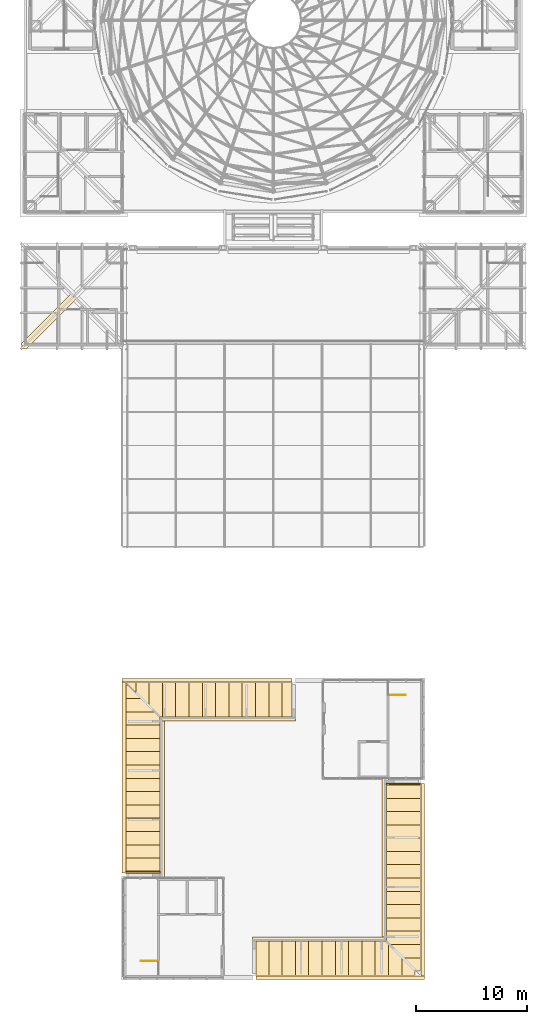
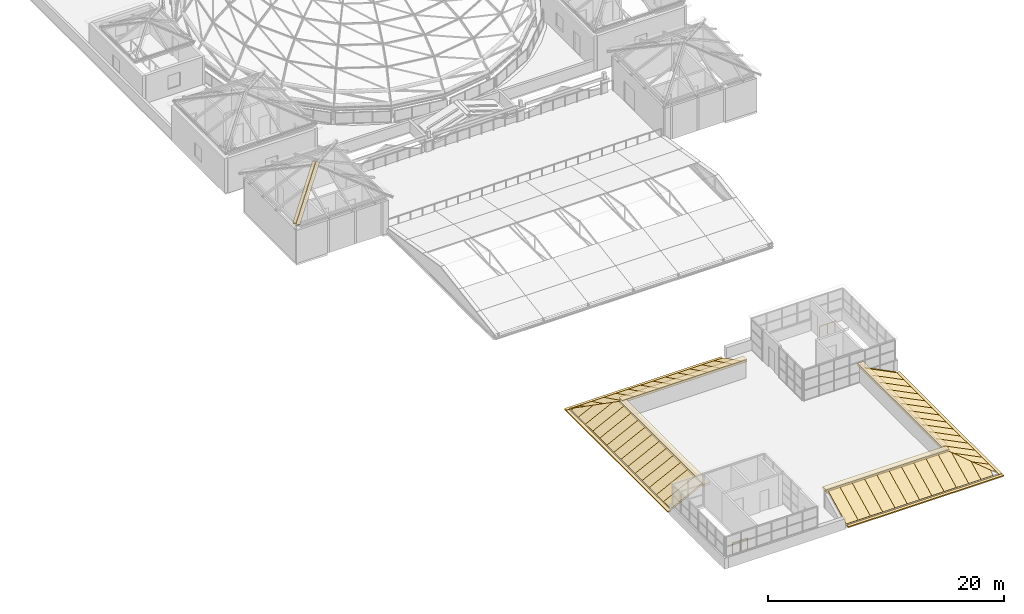
# One storey, part 65 of 69: 65 coverings, 2 railings.
"""IFC4 building model written with IfcOpenShell, lengths in metres."""

from ifc_helpers import new_model, si_unit, direction, frame, origin, origin_2d, place, context, subcontext, project, spatial, polyline, rectangle, circle, outline, extrude, material, layer, layer_set, type_object, element, save


model = new_model("IFC4")

# Units and contexts
model_context = context("Model", 3, precision=1e-05, world=origin(), true_north=direction((0.0, 1.0)))
body_context = subcontext(model_context, "Body", "Model", "MODEL_VIEW")
ifc_project = project(units=[si_unit("LENGTHUNIT", "METRE"), si_unit("AREAUNIT", "SQUARE_METRE"), si_unit("VOLUMEUNIT", "CUBIC_METRE"), si_unit("PLANEANGLEUNIT", "RADIAN"), si_unit("MASSUNIT", "GRAM", prefix="KILO")], contexts=[model_context])

# Site, building, storey
site_placement = place(None, origin())
site = spatial("IfcSite", under=ifc_project, at=site_placement, CompositionType="ELEMENT")
building_placement = place(site_placement, origin())
building = spatial("IfcBuilding", under=site, at=building_placement, Name="Kallimachos Central Library", CompositionType="ELEMENT")
storey_placement = place(building_placement, frame((0.0, 0.0, 23.39990234375)))
storey = spatial("IfcBuildingStorey", under=building, at=storey_placement, Name="L05", CompositionType="ELEMENT", Elevation=23.39990234375)

# Coverings
ifc_material_1 = material(Name="Glazed ceramic hip tile")
ifc_layer_1 = layer(ifc_material_1, 0.1201171875)
ifc_layer_set_1 = layer_set([ifc_layer_1], Name="Ceramic hip tile 300")
covering_type_1 = type_object("IfcCoveringType", Name="Ceramic hip tile 300", PredefinedType="MOLDING", material=ifc_layer_set_1)
covering_1_placement = place(storey_placement, frame((70.01416015625, 79.48583984375, 6.26318359375), z_axis=(-0.000236468736, -0.406535481479, 0.913634963419), x_axis=(0.674613510996, -0.674483805089, -0.299947007744)))
element("IfcCovering", 1, at=covering_1_placement, inside=storey, type_object=covering_type_1, Name="Head-house roof V4-NW hip tile", PredefinedType="MOLDING", context=body_context, shape_type="SweptSolid", body=[
    extrude(outline(polyline([(0.0, 0.0), (0.31448855289718697, -6.938893903907228e-18), (0.9178784160856339, -6.6799971450560145), (0.6317935360562941, -6.993035030678304), (0.0, 0.0)])), origin(), (0.0, 0.0, -1.0), 0.1201171875),
])
covering_2_placement = place(storey_placement, frame((69.773681640625, 79.726318359375, 6.1689453125), z_axis=(-0.406519720699, -0.000257103097, 0.913641970676), x_axis=(0.674494639355, -0.67461350523, 0.29992265677)))
element("IfcCovering", 2, at=covering_2_placement, inside=storey, type_object=covering_type_1, Name="Head-house roof V4-NW hip tile", PredefinedType="MOLDING", context=body_context, shape_type="SweptSolid", body=[
    extrude(outline(polyline([(0.0, 0.0), (0.31448855545818816, 1.3877787807814457e-17), (-0.2908948978497018, -6.700671049751256), (-0.5844492885605453, -6.700722164353748), (-0.6033898532825684, -6.679997146065239), (0.0, 0.0)])), origin(), (0.0, 0.0, -1.0), 0.1201171875),
])
ifc_material_2 = material(Name="Glazed ceramic ridge tile")
ifc_layer_2 = layer(ifc_material_2, 0.300048828125)
ifc_layer_set_2 = layer_set([ifc_layer_2], Name="Ceramic ridge tile 600")
covering_type_2 = type_object("IfcCoveringType", Name="Ceramic ridge tile 600", PredefinedType="MOLDING", material=ifc_layer_set_2)
covering_3_placement = place(storey_placement, frame((92.175048828125, 21.39990234375, 1.800048828125), z_axis=(0.0, 0.0, 1.0), x_axis=(1.0, 0.0, 0.0)))
element("IfcCovering", 3, at=covering_3_placement, inside=storey, type_object=covering_type_2, Name="Ridge tile", PredefinedType="MOLDING", context=body_context, shape_type="SweptSolid", body=[
    extrude(rectangle(XDim=12.050048828125, YDim=0.60009765625, at=origin_2d()), origin(), (0.0, 0.0, 1.0), 0.25),
])
covering_4_placement = place(storey_placement, frame((98.10009765625, 28.742919921875, 1.800048828125), z_axis=(0.0, 0.0, 1.0), x_axis=(1.0, 0.0, 0.0)))
element("IfcCovering", 4, at=covering_4_placement, inside=storey, type_object=covering_type_2, Name="Ridge tile", PredefinedType="MOLDING", context=body_context, shape_type="SweptSolid", body=[
    extrude(rectangle(XDim=0.60009765625, YDim=14.486083984375, at=origin_2d()), origin(), (0.0, 0.0, 1.0), 0.25),
])
covering_5_placement = place(storey_placement, frame((83.89990234375, 41.449951171875, 1.800048828125), z_axis=(0.0, 0.0, 1.0), x_axis=(1.0, 0.0, 0.0)))
element("IfcCovering", 5, at=covering_5_placement, inside=storey, type_object=covering_type_2, Name="Ridge tile", PredefinedType="MOLDING", context=body_context, shape_type="SweptSolid", body=[
    extrude(rectangle(XDim=12.199951171875, YDim=0.60009765625, at=origin_2d()), origin(), (0.0, 0.0, 1.0), 0.25),
])
covering_6_placement = place(storey_placement, frame((77.89990234375, 34.181884765625, 1.800048828125), z_axis=(0.0, 0.0, 1.0), x_axis=(1.0, 0.0, 0.0)))
element("IfcCovering", 6, at=covering_6_placement, inside=storey, type_object=covering_type_2, Name="Ridge tile", PredefinedType="MOLDING", context=body_context, shape_type="SweptSolid", body=[
    extrude(rectangle(XDim=0.60009765625, YDim=14.3359375, at=origin_2d()), origin(), (0.0, 0.0, 1.0), 0.25),
])
ifc_material_3 = material(Name="Glazed ceramic roof tile, green")
ifc_layer_3 = layer(ifc_material_3, 0.050048828125)
ifc_layer_set_3 = layer_set([ifc_layer_3], Name="Glazed ceramic roof tile, green")
covering_type_3 = type_object("IfcCoveringType", Name="Glazed ceramic roof tile, green", PredefinedType="ROOFING", material=ifc_layer_set_3)
for number, where, z_axis, x_axis, name in (
    (7, (87.60009765625, 18.199951171875, 0.2001953125), (0.0, -0.447157242093, 0.894455365484), (0.0, 0.894455365484, 0.447157242093), "Roof tile band South"),
    (8, (90.0, 18.199951171875, 0.2001953125), (0.0, -0.447157242093, 0.894455365484), (0.0, 0.894455365484, 0.447157242093), "Roof tile band South"),
):
    element("IfcCovering", number, at=place(storey_placement, frame(where, z_axis=z_axis, x_axis=x_axis)), inside=storey, type_object=covering_type_3, Name=name, PredefinedType="ROOFING", context=body_context, shape_type="SweptSolid", body=[
        extrude(outline(polyline([(0.0, 0.0), (3.465905372003644, 0.0), (3.465905372003644, -1.199951171875), (0.0, -1.199951171875), (0.0, 0.0)])), origin(), (0.0, 0.0, -1.0), 0.050048828125),
    ])
covering_7_placement = place(storey_placement, frame((92.39990234375, 18.199951171875, 0.2001953125), z_axis=(0.0, -0.447157242093, 0.894455365484), x_axis=(0.0, 0.894455365484, 0.447157242093)))
element("IfcCovering", 9, at=covering_7_placement, inside=storey, type_object=covering_type_3, Name="Roof tile band South", PredefinedType="ROOFING", context=body_context, shape_type="SweptSolid", body=[
    extrude(outline(polyline([(0.0, 0.0), (3.465905372003644, 0.0), (3.465905372003644, -1.2001953125), (0.0, -1.2001953125), (0.0, 0.0)])), origin(), (0.0, 0.0, -1.0), 0.050048828125),
])
covering_8_placement = place(storey_placement, frame((94.800048828125, 18.199951171875, 0.2001953125), z_axis=(0.0, -0.447157242093, 0.894455365484), x_axis=(0.0, 0.894455365484, 0.447157242093)))
element("IfcCovering", 10, at=covering_8_placement, inside=storey, type_object=covering_type_3, Name="Roof tile band South", PredefinedType="ROOFING", context=body_context, shape_type="SweptSolid", body=[
    extrude(outline(polyline([(0.0, 0.0), (3.465905372003644, 0.0), (3.465905372003644, -1.199951171875), (0.0, -1.199951171875), (0.0, 0.0)])), origin(), (0.0, 0.0, -1.0), 0.050048828125),
])
covering_9_placement = place(storey_placement, frame((97.199951171875, 18.199951171875, 0.2001953125), z_axis=(-3.9841397e-05, -0.44715929763, 0.894454336988), x_axis=(-9.2e-11, 0.894454337698, 0.447159297985)))
element("IfcCovering", 11, at=covering_9_placement, inside=storey, type_object=covering_type_3, Name="Roof tile band South", PredefinedType="ROOFING", context=body_context, shape_type="SweptSolid", body=[
    extrude(outline(polyline([(0.0, 0.0), (3.465905371994489, 6.776263578034403e-21), (3.465905371902914, -0.9999999992063315), (3.2424077509251363, -1.1999511747116234), (-1.0988538627327664e-10, -1.1999511709226367), (0.0, 0.0)])), origin(), (0.0, 0.0, -1.0), 0.050048828125),
])
covering_10_placement = place(storey_placement, frame((99.60009765625, 18.199951171875, 0.2001953125), z_axis=(-2.0680359e-05, -0.44717389029, 0.894447042264), x_axis=(-2.7e-10, 0.894447042456, 0.447173890385)))
element("IfcCovering", 12, at=covering_10_placement, inside=storey, type_object=covering_type_3, Name="Roof tile band South", PredefinedType="ROOFING", context=body_context, shape_type="SweptSolid", body=[
    extrude(outline(polyline([(0.0, 0.0), (1.9005486008422814, 3.3881317890172014e-21), (0.5590169935001402, -1.1999511722825433), (-3.240144081515876e-10, -1.1999511716184041), (0.0, 0.0)])), origin(), (0.0, 0.0, -1.0), 0.050048828125),
])
covering_11_placement = place(storey_placement, frame((101.300048828125, 18.60009765625, 0.2001953125), z_axis=(0.447082577197, -3.6385154e-05, 0.894492687417), x_axis=(-0.89449268801, -3.551e-09, 0.447082577493)))
element("IfcCovering", 13, at=covering_11_placement, inside=storey, type_object=covering_type_3, Name="Roof tile band East", PredefinedType="ROOFING", context=body_context, shape_type="SweptSolid", body=[
    extrude(outline(polyline([(0.0, 0.0), (0.44732278970071127, 0.0), (1.7888543905336056, -1.199951179022107), (-4.261422097082114e-09, -1.1999511710807047), (0.0, 0.0)])), origin(), (0.0, 0.0, -1.0), 0.050048828125),
])
covering_12_placement = place(storey_placement, frame((101.300048828125, 21.0, 0.2001953125), z_axis=(0.447160117593, 3.7138681e-05, 0.894453927184), x_axis=(-0.894453927801, -9.25e-10, 0.447160117902)))
element("IfcCovering", 14, at=covering_12_placement, inside=storey, type_object=covering_type_3, Name="Roof tile band East", PredefinedType="ROOFING", context=body_context, shape_type="SweptSolid", body=[
    extrude(outline(polyline([(0.0, 0.0), (3.130495169432329, -1.3552527156068805e-20), (3.4659053717081285, -0.30004883153853196), (3.465905370875552, -1.1999511746679226), (-1.1101776510524799e-09, -1.1999511710474646), (0.0, 0.0)])), origin(), (0.0, 0.0, -1.0), 0.050048828125),
])
covering_13_placement = place(storey_placement, frame((101.300048828125, 23.39990234375, 0.2001953125), z_axis=(0.447157242093, 0.0, 0.894455365484), x_axis=(-0.894455365484, 0.0, 0.447157242093)))
element("IfcCovering", 15, at=covering_13_placement, inside=storey, type_object=covering_type_3, Name="Roof tile band East", PredefinedType="ROOFING", context=body_context, shape_type="SweptSolid", body=[
    extrude(outline(polyline([(0.0, 0.0), (3.465905372003644, 0.0), (3.465905372003644, -1.2001953125), (0.0, -1.2001953125), (0.0, 0.0)])), origin(), (0.0, 0.0, -1.0), 0.050048828125),
])
for number, where, z_axis, x_axis, name in (
    (16, (101.300048828125, 25.800048828125, 0.2001953125), (0.447157242093, 0.0, 0.894455365484), (-0.894455365484, 0.0, 0.447157242093), "Roof tile band East"),
    (17, (101.300048828125, 28.199951171875, 0.2001953125), (0.447157242093, 0.0, 0.894455365484), (-0.894455365484, 0.0, 0.447157242093), "Roof tile band East"),
    (18, (101.300048828125, 30.60009765625, 0.2001953125), (0.447157242093, 0.0, 0.894455365484), (-0.894455365484, 0.0, 0.447157242093), "Roof tile band East"),
    (19, (101.300048828125, 33.0, 0.2001953125), (0.447157242093, 0.0, 0.894455365484), (-0.894455365484, 0.0, 0.447157242093), "Roof tile band East"),
):
    element("IfcCovering", number, at=place(storey_placement, frame(where, z_axis=z_axis, x_axis=x_axis)), inside=storey, type_object=covering_type_3, Name=name, PredefinedType="ROOFING", context=body_context, shape_type="SweptSolid", body=[
        extrude(outline(polyline([(0.0, 0.0), (3.465905372003644, 0.0), (3.465905372003644, -1.199951171875), (0.0, -1.199951171875), (0.0, 0.0)])), origin(), (0.0, 0.0, -1.0), 0.050048828125),
    ])
covering_14_placement = place(storey_placement, frame((98.199951171875, 35.550048828125, 1.75), z_axis=(0.447157242093, 0.0, 0.894455365484), x_axis=(0.894455365484, 0.0, -0.447157242093)))
element("IfcCovering", 20, at=covering_14_placement, inside=storey, type_object=covering_type_3, Name="Roof tile band East", PredefinedType="ROOFING", context=body_context, shape_type="SweptSolid", body=[
    extrude(outline(polyline([(0.0, 0.0), (3.465905372003644, 0.0), (3.465905372003644, -0.15014648437500003), (0.0, -0.15014648437500003), (0.0, 0.0)])), origin(), (0.0, 0.0, -1.0), 0.050048828125),
])
covering_15_placement = place(storey_placement, frame((75.60009765625, 44.64990234375, 0.2001953125), z_axis=(2.7296566e-05, 0.447184476784, 0.894441749349), x_axis=(-8.89e-10, -0.894441749682, 0.447184476951)))
element("IfcCovering", 21, at=covering_15_placement, inside=storey, type_object=covering_type_3, Name="Roof tile band North", PredefinedType="ROOFING", context=body_context, shape_type="SweptSolid", body=[
    extrude(outline(polyline([(0.0, 0.0), (1.006121406335025, 1.6940658945086007e-21), (2.3476530116054257, 1.1999511744082778), (-1.0663328620717726e-09, 1.1999511714279567), (0.0, 0.0)])), origin(), (0.0, 0.0, -1.0), 0.050048828125),
])
covering_16_placement = place(storey_placement, frame((78.0, 44.64990234375, 0.2001953125), z_axis=(0.0, 0.447185417243, 0.894441279574), x_axis=(0.0, -0.894441279574, 0.447185417243)))
element("IfcCovering", 22, at=covering_16_placement, inside=storey, type_object=covering_type_3, Name="Roof tile band North", PredefinedType="ROOFING", context=body_context, shape_type="SweptSolid", body=[
    extrude(outline(polyline([(0.0, 0.0), (3.465687000831097, 0.0), (3.465687000831097, 1.199951171875), (0.0, 1.199951171875), (0.0, 0.0)])), origin(), (0.0, 0.0, -1.0), 0.050048828125),
])
covering_17_placement = place(storey_placement, frame((80.39990234375, 44.64990234375, 0.2001953125), z_axis=(0.0, 0.447185417243, 0.894441279574), x_axis=(0.0, -0.894441279574, 0.447185417243)))
element("IfcCovering", 23, at=covering_17_placement, inside=storey, type_object=covering_type_3, Name="Roof tile band North", PredefinedType="ROOFING", context=body_context, shape_type="SweptSolid", body=[
    extrude(outline(polyline([(0.0, 0.0), (3.4656870008310974, 0.0), (3.4656870008310974, 1.2001953125), (0.0, 1.2001953125), (0.0, 0.0)])), origin(), (0.0, 0.0, -1.0), 0.050048828125),
])
for number, where, z_axis, x_axis, name in (
    (24, (82.800048828125, 44.64990234375, 0.2001953125), (0.0, 0.447185417243, 0.894441279574), (0.0, -0.894441279574, 0.447185417243), "Roof tile band North"),
    (25, (85.199951171875, 44.64990234375, 0.2001953125), (0.0, 0.447185417243, 0.894441279574), (0.0, -0.894441279574, 0.447185417243), "Roof tile band North"),
    (26, (87.60009765625, 44.64990234375, 0.2001953125), (0.0, 0.447185417243, 0.894441279574), (0.0, -0.894441279574, 0.447185417243), "Roof tile band North"),
):
    element("IfcCovering", number, at=place(storey_placement, frame(where, z_axis=z_axis, x_axis=x_axis)), inside=storey, type_object=covering_type_3, Name=name, PredefinedType="ROOFING", context=body_context, shape_type="SweptSolid", body=[
        extrude(outline(polyline([(0.0, 0.0), (3.465687000831097, 0.0), (3.465687000831097, 1.199951171875), (0.0, 1.199951171875), (0.0, 0.0)])), origin(), (0.0, 0.0, -1.0), 0.050048828125),
    ])
for number, where, z_axis, x_axis, name in (
    (27, (74.699951171875, 27.60009765625, 0.2001953125), (-0.447157242093, 0.0, 0.894455365484), (0.894455365484, 0.0, 0.447157242093), "Roof tile band West"),
    (28, (74.699951171875, 30.0, 0.2001953125), (-0.447157242093, 0.0, 0.894455365484), (0.894455365484, 0.0, 0.447157242093), "Roof tile band West"),
):
    element("IfcCovering", number, at=place(storey_placement, frame(where, z_axis=z_axis, x_axis=x_axis)), inside=storey, type_object=covering_type_3, Name=name, PredefinedType="ROOFING", context=body_context, shape_type="SweptSolid", body=[
        extrude(outline(polyline([(0.0, 0.0), (3.465905372003644, 0.0), (3.465905372003644, 1.199951171875), (0.0, 1.199951171875), (0.0, 0.0)])), origin(), (0.0, 0.0, -1.0), 0.050048828125),
    ])
covering_18_placement = place(storey_placement, frame((74.699951171875, 32.39990234375, 0.2001953125), z_axis=(-0.447157242093, 0.0, 0.894455365484), x_axis=(0.894455365484, 0.0, 0.447157242093)))
element("IfcCovering", 29, at=covering_18_placement, inside=storey, type_object=covering_type_3, Name="Roof tile band West", PredefinedType="ROOFING", context=body_context, shape_type="SweptSolid", body=[
    extrude(outline(polyline([(0.0, 0.0), (3.465905372003644, 0.0), (3.465905372003644, 1.2001953125), (0.0, 1.2001953125), (0.0, 0.0)])), origin(), (0.0, 0.0, -1.0), 0.050048828125),
])
for number, where, z_axis, x_axis, name in (
    (30, (74.699951171875, 34.800048828125, 0.2001953125), (-0.447157242093, 0.0, 0.894455365484), (0.894455365484, 0.0, 0.447157242093), "Roof tile band West"),
    (31, (74.699951171875, 37.199951171875, 0.2001953125), (-0.447157242093, 0.0, 0.894455365484), (0.894455365484, 0.0, 0.447157242093), "Roof tile band West"),
    (32, (74.699951171875, 39.60009765625, 0.2001953125), (-0.447157242093, 0.0, 0.894455365484), (0.894455365484, 0.0, 0.447157242093), "Roof tile band West"),
):
    element("IfcCovering", number, at=place(storey_placement, frame(where, z_axis=z_axis, x_axis=x_axis)), inside=storey, type_object=covering_type_3, Name=name, PredefinedType="ROOFING", context=body_context, shape_type="SweptSolid", body=[
        extrude(outline(polyline([(0.0, 0.0), (3.465905372003644, 0.0), (3.465905372003644, 1.199951171875), (0.0, 1.199951171875), (0.0, 0.0)])), origin(), (0.0, 0.0, -1.0), 0.050048828125),
    ])
covering_19_placement = place(storey_placement, frame((74.699951171875, 42.0, 0.2001953125), z_axis=(-0.447170986831, 2.663542e-05, 0.894448493669), x_axis=(0.894448493986, -2.87e-10, 0.44717098699)))
element("IfcCovering", 33, at=covering_19_placement, inside=storey, type_object=covering_type_3, Name="Roof tile band West", PredefinedType="ROOFING", context=body_context, shape_type="SweptSolid", body=[
    extrude(outline(polyline([(0.0, 0.0), (2.96289925503325, 0.0), (1.6210401036977207, 1.1999511727664072), (-3.447699077857038e-10, 1.19995117144935), (0.0, 0.0)])), origin(), (0.0, 0.0, -1.0), 0.050048828125),
])
ifc_material_4 = material(Name="Glazed ceramic roof tile, ochre")
ifc_layer_4 = layer(ifc_material_4, 0.050048828125)
ifc_layer_set_4 = layer_set([ifc_layer_4], Name="Glazed ceramic roof tile, ochre")
covering_type_4 = type_object("IfcCoveringType", Name="Glazed ceramic roof tile, ochre", PredefinedType="ROOFING", material=ifc_layer_set_4)
covering_20_placement = place(storey_placement, frame((86.449951171875, 18.199951171875, 0.2001953125), z_axis=(0.0, -0.447157242093, 0.894455365484), x_axis=(0.0, 0.894455365484, 0.447157242093)))
element("IfcCovering", 34, at=covering_20_placement, inside=storey, type_object=covering_type_4, Name="Roof tile band South", PredefinedType="ROOFING", context=body_context, shape_type="SweptSolid", body=[
    extrude(outline(polyline([(0.0, 0.0), (3.465905372003644, 0.0), (3.465905372003644, -1.150146484375), (0.0, -1.150146484375), (0.0, 0.0)])), origin(), (0.0, 0.0, -1.0), 0.050048828125),
])
for number, where, z_axis, x_axis, name in (
    (35, (88.800048828125, 18.199951171875, 0.2001953125), (0.0, -0.447157242093, 0.894455365484), (0.0, 0.894455365484, 0.447157242093), "Roof tile band South"),
    (36, (91.199951171875, 18.199951171875, 0.2001953125), (0.0, -0.447157242093, 0.894455365484), (0.0, 0.894455365484, 0.447157242093), "Roof tile band South"),
    (37, (93.60009765625, 18.199951171875, 0.2001953125), (0.0, -0.447157242093, 0.894455365484), (0.0, 0.894455365484, 0.447157242093), "Roof tile band South"),
    (38, (96.0, 18.199951171875, 0.2001953125), (0.0, -0.447157242093, 0.894455365484), (0.0, 0.894455365484, 0.447157242093), "Roof tile band South"),
):
    element("IfcCovering", number, at=place(storey_placement, frame(where, z_axis=z_axis, x_axis=x_axis)), inside=storey, type_object=covering_type_4, Name=name, PredefinedType="ROOFING", context=body_context, shape_type="SweptSolid", body=[
        extrude(outline(polyline([(0.0, 0.0), (3.465905372003644, 0.0), (3.465905372003644, -1.199951171875), (0.0, -1.199951171875), (0.0, 0.0)])), origin(), (0.0, 0.0, -1.0), 0.050048828125),
    ])
covering_21_placement = place(storey_placement, frame((98.39990234375, 18.199951171875, 0.2001953125), z_axis=(2.3735436e-05, -0.447175618273, 0.894446178291), x_axis=(-2.09e-10, 0.894446178543, 0.447175618399)))
element("IfcCovering", 39, at=covering_21_placement, inside=storey, type_object=covering_type_4, Name="Roof tile band South", PredefinedType="ROOFING", context=body_context, shape_type="SweptSolid", body=[
    extrude(outline(polyline([(0.0, 0.0), (3.2424077520945507, 0.0), (1.90054860054051, -1.200195313234408), (-2.5028260050407713e-10, -1.2001953121619222), (0.0, 0.0)])), origin(), (0.0, 0.0, -1.0), 0.050048828125),
])
covering_22_placement = place(storey_placement, frame((101.300048828125, 19.800048828125, 0.2001953125), z_axis=(0.447154038612, -8.2717764e-05, 0.894456963141), x_axis=(-0.894456966201, -4.59e-09, 0.447154040141)))
element("IfcCovering", 40, at=covering_22_placement, inside=storey, type_object=covering_type_4, Name="Roof tile band East", PredefinedType="ROOFING", context=body_context, shape_type="SweptSolid", body=[
    extrude(outline(polyline([(0.0, 0.0), (1.7888543925741156, 1.3552527156068805e-20), (3.1304951633227125, -1.1999511903482654), (-5.5074394711485875e-09, -1.1999511677698298), (0.0, 0.0)])), origin(), (0.0, 0.0, -1.0), 0.050048828125),
])
for number, where, z_axis, x_axis, name in (
    (41, (101.300048828125, 22.199951171875, 0.2001953125), (0.447157242093, 0.0, 0.894455365484), (-0.894455365484, 0.0, 0.447157242093), "Roof tile band East"),
    (42, (101.300048828125, 24.60009765625, 0.2001953125), (0.447157242093, 0.0, 0.894455365484), (-0.894455365484, 0.0, 0.447157242093), "Roof tile band East"),
    (43, (101.300048828125, 27.0, 0.2001953125), (0.447157242093, 0.0, 0.894455365484), (-0.894455365484, 0.0, 0.447157242093), "Roof tile band East"),
):
    element("IfcCovering", number, at=place(storey_placement, frame(where, z_axis=z_axis, x_axis=x_axis)), inside=storey, type_object=covering_type_4, Name=name, PredefinedType="ROOFING", context=body_context, shape_type="SweptSolid", body=[
        extrude(outline(polyline([(0.0, 0.0), (3.465905372003644, 0.0), (3.465905372003644, -1.199951171875), (0.0, -1.199951171875), (0.0, 0.0)])), origin(), (0.0, 0.0, -1.0), 0.050048828125),
    ])
covering_23_placement = place(storey_placement, frame((101.300048828125, 29.39990234375, 0.2001953125), z_axis=(0.447157242093, 0.0, 0.894455365484), x_axis=(-0.894455365484, 0.0, 0.447157242093)))
element("IfcCovering", 44, at=covering_23_placement, inside=storey, type_object=covering_type_4, Name="Roof tile band East", PredefinedType="ROOFING", context=body_context, shape_type="SweptSolid", body=[
    extrude(outline(polyline([(0.0, 0.0), (3.465905372003644, 0.0), (3.465905372003644, -1.2001953125), (0.0, -1.2001953125), (0.0, 0.0)])), origin(), (0.0, 0.0, -1.0), 0.050048828125),
])
for number, where, z_axis, x_axis, name in (
    (45, (101.300048828125, 31.800048828125, 0.2001953125), (0.447157242093, 0.0, 0.894455365484), (-0.894455365484, 0.0, 0.447157242093), "Roof tile band East"),
    (46, (101.300048828125, 34.199951171875, 0.2001953125), (0.447157242093, 0.0, 0.894455365484), (-0.894455365484, 0.0, 0.447157242093), "Roof tile band East"),
):
    element("IfcCovering", number, at=place(storey_placement, frame(where, z_axis=z_axis, x_axis=x_axis)), inside=storey, type_object=covering_type_4, Name=name, PredefinedType="ROOFING", context=body_context, shape_type="SweptSolid", body=[
        extrude(outline(polyline([(0.0, 0.0), (3.465905372003644, 0.0), (3.465905372003644, -1.199951171875), (0.0, -1.199951171875), (0.0, 0.0)])), origin(), (0.0, 0.0, -1.0), 0.050048828125),
    ])
covering_24_placement = place(storey_placement, frame((74.699951171875, 44.64990234375, 0.2001953125), z_axis=(0.0, 0.4472135955, 0.894427191), x_axis=(0.666767128791, -0.666586286066, 0.333293143033)))
element("IfcCovering", 47, at=covering_24_placement, inside=storey, type_object=covering_type_4, Name="Roof tile band North", PredefinedType="ROOFING", context=body_context, shape_type="SweptSolid", body=[
    extrude(outline(polyline([(0.0, 0.0), (1.350016288305849, 2.7755575615628914e-17), (0.6001880868781824, 0.6708486816728342), (0.0, 0.0)])), origin(), (0.0, 0.0, -1.0), 0.050048828125),
])
covering_25_placement = place(storey_placement, frame((76.800048828125, 44.64990234375, 0.2001953125), z_axis=(-1.6955914e-05, 0.447181041109, 0.894443467294), x_axis=(-1.71e-10, -0.894443467423, 0.447181041173)))
element("IfcCovering", 48, at=covering_25_placement, inside=storey, type_object=covering_type_4, Name="Roof tile band North", PredefinedType="ROOFING", context=body_context, shape_type="SweptSolid", body=[
    extrude(outline(polyline([(0.0, 0.0), (2.347653012780257, 0.0), (3.465687000618181, 1.0000000007379006), (3.4656870005839018, 1.1999511725841574), (-2.057168322654072e-10, 1.199951171702505), (0.0, 0.0)])), origin(), (0.0, 0.0, -1.0), 0.050048828125),
])
for number, where, z_axis, x_axis, name in (
    (49, (79.199951171875, 44.64990234375, 0.2001953125), (0.0, 0.447185417243, 0.894441279574), (0.0, -0.894441279574, 0.447185417243), "Roof tile band North"),
    (50, (81.60009765625, 44.64990234375, 0.2001953125), (0.0, 0.447185417243, 0.894441279574), (0.0, -0.894441279574, 0.447185417243), "Roof tile band North"),
    (51, (84.0, 44.64990234375, 0.2001953125), (0.0, 0.447185417243, 0.894441279574), (0.0, -0.894441279574, 0.447185417243), "Roof tile band North"),
):
    element("IfcCovering", number, at=place(storey_placement, frame(where, z_axis=z_axis, x_axis=x_axis)), inside=storey, type_object=covering_type_4, Name=name, PredefinedType="ROOFING", context=body_context, shape_type="SweptSolid", body=[
        extrude(outline(polyline([(0.0, 0.0), (3.465687000831097, 0.0), (3.465687000831097, 1.199951171875), (0.0, 1.199951171875), (0.0, 0.0)])), origin(), (0.0, 0.0, -1.0), 0.050048828125),
    ])
covering_26_placement = place(storey_placement, frame((86.39990234375, 44.64990234375, 0.2001953125), z_axis=(0.0, 0.447185417243, 0.894441279574), x_axis=(0.0, -0.894441279574, 0.447185417243)))
element("IfcCovering", 52, at=covering_26_placement, inside=storey, type_object=covering_type_4, Name="Roof tile band North", PredefinedType="ROOFING", context=body_context, shape_type="SweptSolid", body=[
    extrude(outline(polyline([(0.0, 0.0), (3.4656870008310974, 0.0), (3.4656870008310974, 1.2001953125), (0.0, 1.2001953125), (0.0, 0.0)])), origin(), (0.0, 0.0, -1.0), 0.050048828125),
])
covering_27_placement = place(storey_placement, frame((89.699951171875, 41.550048828125, 1.75), z_axis=(0.0, 0.447185417243, 0.894441279574), x_axis=(0.0, 0.894441279574, -0.447185417243)))
element("IfcCovering", 53, at=covering_27_placement, inside=storey, type_object=covering_type_4, Name="Roof tile band North", PredefinedType="ROOFING", context=body_context, shape_type="SweptSolid", body=[
    extrude(outline(polyline([(0.0, 0.0), (3.4656870008310974, 0.0), (3.4656870008310974, 0.89990234375), (0.0, 0.89990234375), (0.0, 0.0)])), origin(), (0.0, 0.0, -1.0), 0.050048828125),
])
covering_28_placement = place(storey_placement, frame((74.699951171875, 27.449951171875, 0.2001953125), z_axis=(-0.447157242093, 0.0, 0.894455365484), x_axis=(0.894455365484, 0.0, 0.447157242093)))
element("IfcCovering", 54, at=covering_28_placement, inside=storey, type_object=covering_type_4, Name="Roof tile band West", PredefinedType="ROOFING", context=body_context, shape_type="SweptSolid", body=[
    extrude(outline(polyline([(0.0, 0.0), (3.465905372003644, 0.0), (3.465905372003644, 0.15014648437500003), (0.0, 0.15014648437500003), (0.0, 0.0)])), origin(), (0.0, 0.0, -1.0), 0.050048828125),
])
for number, where, z_axis, x_axis, name in (
    (55, (74.699951171875, 28.800048828125, 0.2001953125), (-0.447157242093, 0.0, 0.894455365484), (0.894455365484, 0.0, 0.447157242093), "Roof tile band West"),
    (56, (74.699951171875, 31.199951171875, 0.2001953125), (-0.447157242093, 0.0, 0.894455365484), (0.894455365484, 0.0, 0.447157242093), "Roof tile band West"),
    (57, (74.699951171875, 33.60009765625, 0.2001953125), (-0.447157242093, 0.0, 0.894455365484), (0.894455365484, 0.0, 0.447157242093), "Roof tile band West"),
    (58, (74.699951171875, 36.0, 0.2001953125), (-0.447157242093, 0.0, 0.894455365484), (0.894455365484, 0.0, 0.447157242093), "Roof tile band West"),
):
    element("IfcCovering", number, at=place(storey_placement, frame(where, z_axis=z_axis, x_axis=x_axis)), inside=storey, type_object=covering_type_4, Name=name, PredefinedType="ROOFING", context=body_context, shape_type="SweptSolid", body=[
        extrude(outline(polyline([(0.0, 0.0), (3.465905372003644, 0.0), (3.465905372003644, 1.199951171875), (0.0, 1.199951171875), (0.0, 0.0)])), origin(), (0.0, 0.0, -1.0), 0.050048828125),
    ])
covering_29_placement = place(storey_placement, frame((74.699951171875, 38.39990234375, 0.2001953125), z_axis=(-0.447157242093, 0.0, 0.894455365484), x_axis=(0.894455365484, 0.0, 0.447157242093)))
element("IfcCovering", 59, at=covering_29_placement, inside=storey, type_object=covering_type_4, Name="Roof tile band West", PredefinedType="ROOFING", context=body_context, shape_type="SweptSolid", body=[
    extrude(outline(polyline([(0.0, 0.0), (3.465905372003644, 0.0), (3.465905372003644, 1.2001953125), (0.0, 1.2001953125), (0.0, 0.0)])), origin(), (0.0, 0.0, -1.0), 0.050048828125),
])
covering_30_placement = place(storey_placement, frame((74.699951171875, 40.800048828125, 0.2001953125), z_axis=(-0.447161096176, -3.3192649e-05, 0.89445343812), x_axis=(0.894453438613, -1.43e-10, 0.447161096422)))
element("IfcCovering", 60, at=covering_30_placement, inside=storey, type_object=covering_type_4, Name="Roof tile band West", PredefinedType="ROOFING", context=body_context, shape_type="SweptSolid", body=[
    extrude(outline(polyline([(0.0, 0.0), (3.4659053719714654, 0.0), (3.4659053718641912, 0.7499999995868432), (2.9628992543270614, 1.1999511737861273), (-1.7163114374816995e-10, 1.1999511712139759), (0.0, 0.0)])), origin(), (0.0, 0.0, -1.0), 0.050048828125),
])
covering_31_placement = place(storey_placement, frame((74.699951171875, 43.199951171875, 0.2001953125), z_axis=(-0.447162211532, -1.3381584e-05, 0.894452881039), x_axis=(0.894452881119, -1.33e-10, 0.447162211572)))
element("IfcCovering", 61, at=covering_31_placement, inside=storey, type_object=covering_type_4, Name="Roof tile band West", PredefinedType="ROOFING", context=body_context, shape_type="SweptSolid", body=[
    extrude(outline(polyline([(0.0, 0.0), (1.6210401042780445, 0.0), (0.27950849656718874, 1.199951172019485), (-1.5905539731329498e-10, 1.1999511717675644), (0.0, 0.0)])), origin(), (0.0, 0.0, -1.0), 0.050048828125),
])
ifc_material_5 = material(Name="Lead-coated copper sheet")
ifc_layer_5 = layer(ifc_material_5, 0.1201171875)
ifc_layer_set_5 = layer_set([ifc_layer_5], Name="Lead-lined eaves gutter 300")
covering_type_5 = type_object("IfcCoveringType", Name="Lead-lined eaves gutter 300", PredefinedType="ROOFING", material=ifc_layer_set_5)
covering_32_placement = place(storey_placement, frame((94.050048828125, 18.0, 0.0), z_axis=(0.0, 0.0, 1.0), x_axis=(1.0, 0.0, 0.0)))
element("IfcCovering", 62, at=covering_32_placement, inside=storey, type_object=covering_type_5, Name="Eaves gutter South", PredefinedType="ROOFING", context=body_context, shape_type="SweptSolid", body=[
    extrude(rectangle(XDim=15.199951171875, YDim=0.300048828125, at=origin_2d()), origin(), (0.0, 0.0, 1.0), 0.1201171875),
])
covering_33_placement = place(storey_placement, frame((101.5, 26.85009765625, 0.0), z_axis=(0.0, 0.0, 1.0), x_axis=(1.0, 0.0, 0.0)))
element("IfcCovering", 63, at=covering_33_placement, inside=storey, type_object=covering_type_5, Name="Eaves gutter East", PredefinedType="ROOFING", context=body_context, shape_type="SweptSolid", body=[
    extrude(rectangle(XDim=0.300048828125, YDim=17.39990234375, at=origin_2d()), origin(), (0.0, 0.0, 1.0), 0.1201171875),
])
covering_34_placement = place(storey_placement, frame((82.02490234375, 44.85009765625, 0.0), z_axis=(0.0, 0.0, 1.0), x_axis=(1.0, 0.0, 0.0)))
element("IfcCovering", 64, at=covering_34_placement, inside=storey, type_object=covering_type_5, Name="Eaves gutter North", PredefinedType="ROOFING", context=body_context, shape_type="SweptSolid", body=[
    extrude(rectangle(XDim=15.35009765625, YDim=0.300048828125, at=origin_2d()), origin(), (0.0, 0.0, 1.0), 0.1201171875),
])
covering_35_placement = place(storey_placement, frame((74.5, 36.074951171875, 0.0), z_axis=(0.0, 0.0, 1.0), x_axis=(1.0, 0.0, 0.0)))
element("IfcCovering", 65, at=covering_35_placement, inside=storey, type_object=covering_type_5, Name="Eaves gutter West", PredefinedType="ROOFING", context=body_context, shape_type="SweptSolid", body=[
    extrude(rectangle(XDim=0.300048828125, YDim=17.25, at=origin_2d()), origin(), (0.0, 0.0, 1.0), 0.1201171875),
])

# Railings
ifc_material_6 = material(Name="Steel S355J2", Category="steel")
railing_type = type_object("IfcRailingType", Name="Wrought-iron guard 1100", PredefinedType="GUARDRAIL", material=ifc_material_6)
railing_1_placement = place(storey_placement, frame((77.550048828125, 19.5, 0.0)))
element("IfcRailing", 66, at=railing_1_placement, inside=storey, type_object=railing_type, Name="L05 ST13 top well guard 1", PredefinedType="GUARDRAIL", context=body_context, shape_type="SweptSolid", body=[
    extrude(circle(Radius=0.02392578125, at=origin_2d()), frame((0.0, 0.0, 1.076171875), z_axis=(-1.0, 0.0, 0.0), x_axis=(0.0, -1.0, 0.0)), (0.0, 0.0, 1.0), 1.5),
    extrude(circle(Radius=0.02099609375, at=origin_2d()), origin(), (0.0, 0.0, 1.0), 1.052001953125),
    extrude(circle(Radius=0.02099609375, at=origin_2d()), frame((-0.75, 0.0, 0.0)), (0.0, 0.0, 1.0), 1.052001953125),
    extrude(circle(Radius=0.02099609375, at=origin_2d()), frame((-1.5, 0.0, 0.0)), (0.0, 0.0, 1.0), 1.052001953125),
])
railing_2_placement = place(storey_placement, frame((98.449951171875, 43.5, 0.0)))
element("IfcRailing", 67, at=railing_2_placement, inside=storey, type_object=railing_type, Name="L05 ST14 top well guard 1", PredefinedType="GUARDRAIL", context=body_context, shape_type="SweptSolid", body=[
    extrude(circle(Radius=0.02392578125, at=origin_2d()), frame((0.0, 0.0, 1.076171875), z_axis=(1.0, 0.0, 0.0), x_axis=(0.0, 1.0, 0.0)), (0.0, 0.0, 1.0), 1.5),
    extrude(circle(Radius=0.02099609375, at=origin_2d()), origin(), (0.0, 0.0, 1.0), 1.052001953125),
    extrude(circle(Radius=0.02099609375, at=origin_2d()), frame((0.75, 0.0, 0.0)), (0.0, 0.0, 1.0), 1.052001953125),
    extrude(circle(Radius=0.02099609375, at=origin_2d()), frame((1.5, 0.0, 0.0)), (0.0, 0.0, 1.0), 1.052001953125),
])

save(model, "model.ifc")
